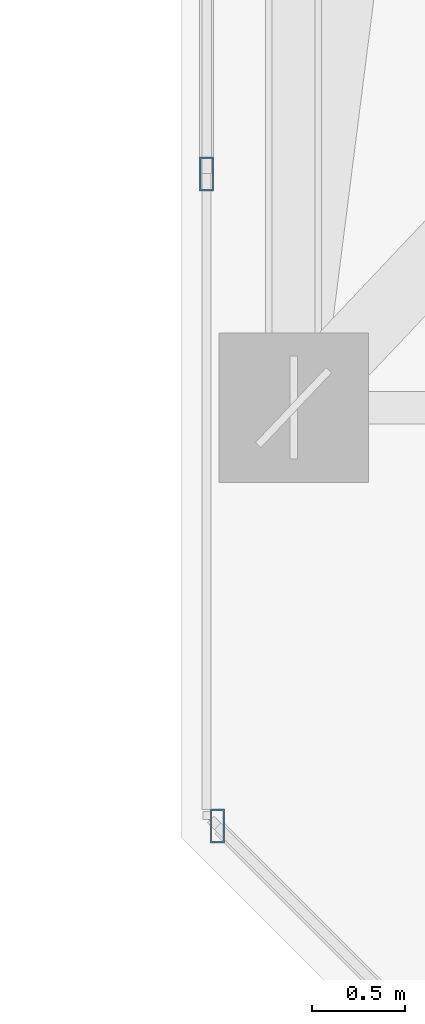
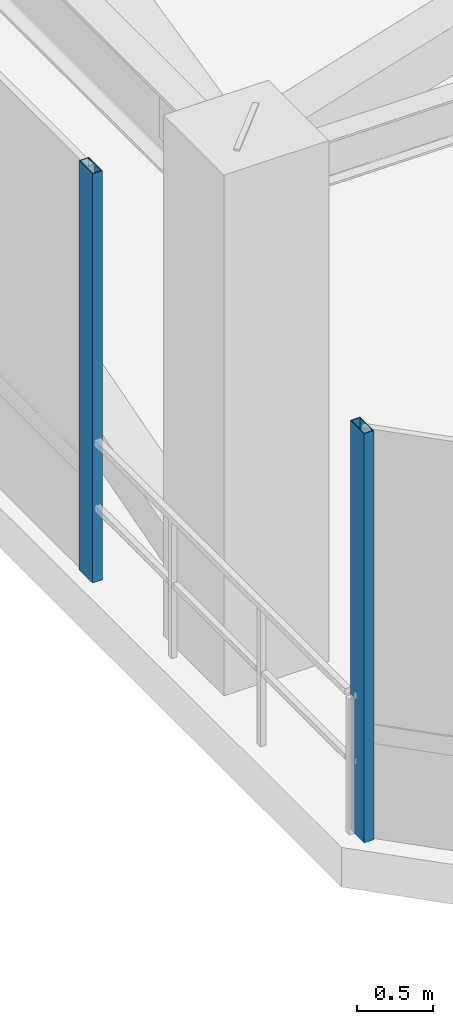
# One storey, part 15 of 47: 2 members, 2 elements without a shape of their own.
"""IFC4 building model written with IfcOpenShell, lengths in metres."""

from ifc_helpers import new_model, si_unit, direction, frame, origin, origin_2d, place, context, subcontext, project, spatial, hollow_rectangle, extrude, material, material_profile, profile_set, type_object, element, aggregate, save


model = new_model("IFC4")

# Units and contexts
model_context = context("Model", 3, precision=1e-05, world=origin(), true_north=direction((0.0, 1.0)))
body_context = subcontext(model_context, "Body", "Model", "MODEL_VIEW")
ifc_project = project(units=[si_unit("LENGTHUNIT", "METRE"), si_unit("AREAUNIT", "SQUARE_METRE"), si_unit("VOLUMEUNIT", "CUBIC_METRE"), si_unit("PLANEANGLEUNIT", "RADIAN"), si_unit("MASSUNIT", "GRAM", prefix="KILO")], contexts=[model_context])

# Site, building, storey
site_placement = place(None, origin())
site = spatial("IfcSite", under=ifc_project, at=site_placement, CompositionType="ELEMENT")
building_placement = place(site_placement, origin())
building = spatial("IfcBuilding", under=site, at=building_placement, Name="Thornwick Lancets Civic Towers", CompositionType="ELEMENT")
storey_placement = place(building_placement, frame((0.0, 0.0, 279.89990234375)))
storey = spatial("IfcBuildingStorey", under=building, at=storey_placement, Name="C01", CompositionType="ELEMENT", Elevation=279.89990234375)

# Curtain wall, member
ifc_material_1 = material(Name="Crown ring acoustic-louvre and glazing screen wall", Category="glass")
curtain_wall_type = type_object("IfcCurtainWallType", Name="CW_SYS_07", PredefinedType="NOTDEFINED", material=ifc_material_1)
curtain_wall_1_placement = place(storey_placement, origin())
curtain_wall_1 = element("IfcCurtainWall", 1, at=curtain_wall_1_placement, inside=storey, type_object=curtain_wall_type, Name="C01 Curtain Wall CW-C01-B-E6-S3", PredefinedType="NOTDEFINED")
ifc_material_2 = material(Name="Thermally broken bronze aluminium S355", Category="steel")
ifc_material_profile = material_profile(ifc_material_2, hollow_rectangle(XDim=0.074951171875, YDim=0.179931640625, WallThickness=0.006103515625, at=origin_2d()), Name="RHS 180x75x6")
ifc_profile_set = profile_set([ifc_material_profile], Name="Thermally broken bronze aluminium S355")
member_type = type_object("IfcMemberType", Name="CW_MUL_180", PredefinedType="MULLION", material=ifc_profile_set)
member_1_placement = place(storey_placement, frame((70.7353515625, 15.25, 0.0), z_axis=(0.0, 0.0, 1.0), x_axis=(1.0, 0.0, 0.0)))
member_1 = element("IfcMember", 2, at=member_1_placement, type_object=member_type, Name="CW-C01-B-E6-S3 Mullion 1", PredefinedType="MULLION", context=body_context, shape_type="SweptSolid", body=[
    extrude(hollow_rectangle(XDim=0.074951171875, YDim=0.179931640625, WallThickness=0.006103515625, at=origin_2d()), origin(), (0.0, 0.0, 1.0), 3.300048828125),
])
aggregate(curtain_wall_1, [member_1])

curtain_wall_2_placement = place(storey_placement, origin())
curtain_wall_2 = element("IfcCurtainWall", 3, at=curtain_wall_2_placement, inside=storey, type_object=curtain_wall_type, Name="C01 Curtain Wall CW-C01-B-E7", PredefinedType="NOTDEFINED")
member_2_placement = place(storey_placement, frame((70.7919921875, 11.761962890625, 0.0), z_axis=(0.0, 0.0, 1.0), x_axis=(1.0, 0.0, 0.0)))
member_2 = element("IfcMember", 4, at=member_2_placement, type_object=member_type, Name="CW-C01-B-E7 Mullion 0", PredefinedType="MULLION", context=body_context, shape_type="SweptSolid", body=[
    extrude(hollow_rectangle(XDim=0.074951171875, YDim=0.179931640625, WallThickness=0.006103515625, at=origin_2d()), origin(), (0.0, 0.0, 1.0), 3.300048828125),
])
aggregate(curtain_wall_2, [member_2])

save(model, "model.ifc")
